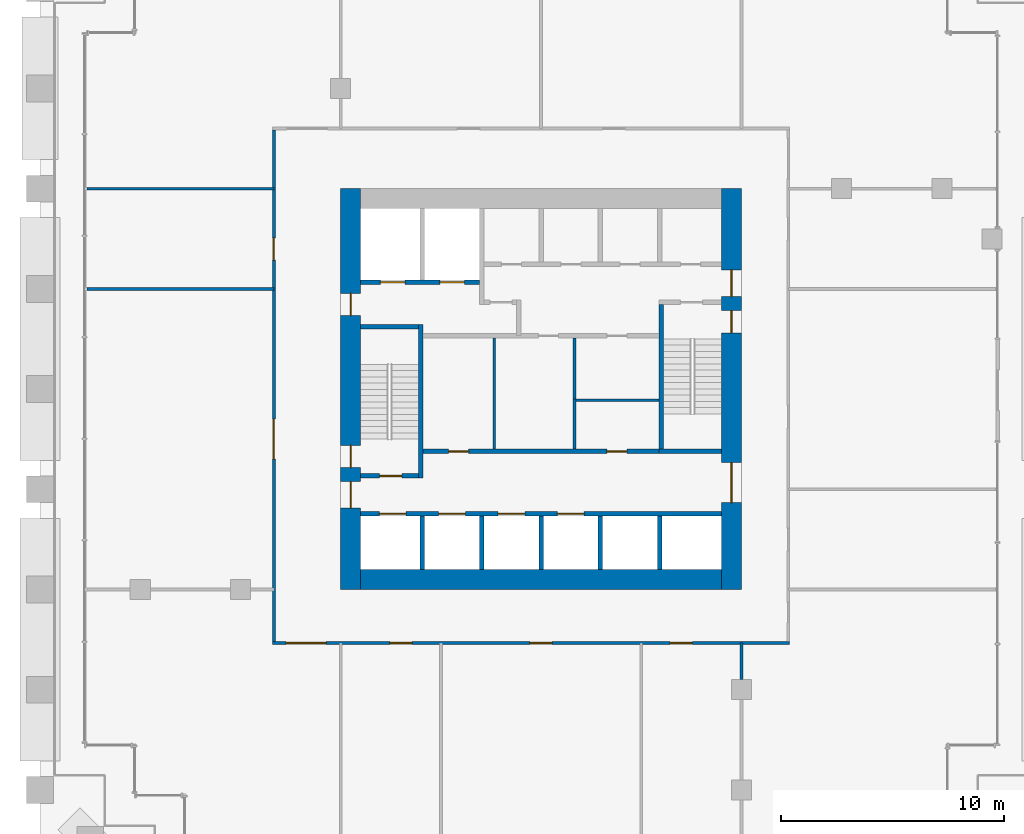
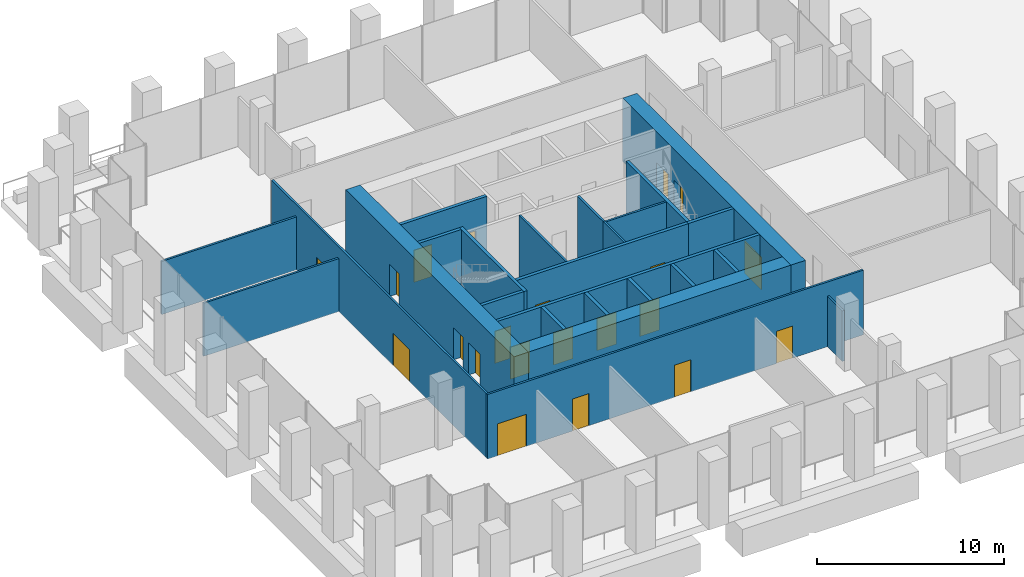
# One storey, part 25 of 32: 25 walls, 21 doors, 21 openings.
"""IFC4 building model written with IfcOpenShell, lengths in metres."""

from ifc_helpers import new_model, si_unit, direction, frame, frame_2d, origin, place, context, subcontext, project, spatial, rectangle, extrude, material, layer, layer_set, type_object, element, fill, save


model = new_model("IFC4")

# Units and contexts
model_context = context("Model", 3, precision=1e-05, world=origin(), true_north=direction((0.0, 1.0)))
body_context = subcontext(model_context, "Body", "Model", "MODEL_VIEW")
ifc_project = project(units=[si_unit("LENGTHUNIT", "METRE"), si_unit("AREAUNIT", "SQUARE_METRE"), si_unit("VOLUMEUNIT", "CUBIC_METRE"), si_unit("PLANEANGLEUNIT", "RADIAN"), si_unit("MASSUNIT", "GRAM", prefix="KILO")], contexts=[model_context])

# Site, building, storey
site_placement = place(None, origin())
site = spatial("IfcSite", under=ifc_project, at=site_placement, CompositionType="ELEMENT")
building_placement = place(site_placement, origin())
building = spatial("IfcBuilding", under=site, at=building_placement, Name="Altepetl Exchange Towers", CompositionType="ELEMENT")
storey_placement = place(building_placement, frame((0.0, 0.0, 21.0)))
storey = spatial("IfcBuildingStorey", under=building, at=storey_placement, Name="L04", CompositionType="ELEMENT", Elevation=21.0)

# Wall, openings, doors
ifc_material_1 = material(Name="Concrete C70/85", Category="concrete")
ifc_layer_1 = layer(ifc_material_1, 0.89990234375)
ifc_layer_set_1 = layer_set([ifc_layer_1], Name="Concrete C70/85")
wall_type_1 = type_object("IfcWallType", Name="Core wall 900 reinforced concrete", PredefinedType="SHEAR", material=ifc_layer_set_1)
wall_1_placement = place(storey_placement, frame((58.050048828125, 40.5, 0.0), z_axis=(0.0, 0.0, 1.0), x_axis=(0.0, 1.0, 0.0)))
wall_1 = element("IfcWall", 1, at=wall_1_placement, inside=storey, type_object=wall_type_1, Name="wall:A:L04:K-coreE", PredefinedType="SHEAR", context=body_context, shape_type="SweptSolid", body=[
    extrude(rectangle(XDim=18.0, YDim=0.89990234375, at=frame_2d((9.0, 0.0))), origin(), (0.0, 0.0, 1.0), 4.125),
])
opening_1_placement = place(wall_1_placement, frame((13.14990234375, 0.0, 0.0)))
opening_1 = element("IfcOpeningElement", 2, at=opening_1_placement, cuts=wall_1, Name="Opening L04.A60", PredefinedType="OPENING", context=body_context, shape_type="SweptSolid", body=[
    extrude(rectangle(XDim=1.199951171875, YDim=2.10009765625, at=frame_2d((0.60009765625, 1.050048828125))), frame((0.0, 0.4599609375, 0.0), z_axis=(0.0, -1.0, 0.0), x_axis=(1.0, 0.0, 0.0)), (0.0, 0.0, 1.0), 0.919921875),
])
opening_2_placement = place(wall_1_placement, frame((3.89990234375, 0.0, 0.0)))
opening_2 = element("IfcOpeningElement", 3, at=opening_2_placement, cuts=wall_1, Name="Opening L04.A61", PredefinedType="OPENING", context=body_context, shape_type="SweptSolid", body=[
    extrude(rectangle(XDim=1.800048828125, YDim=2.10009765625, at=frame_2d((0.89990234375, 1.050048828125))), frame((0.0, 0.4599609375, 0.0), z_axis=(0.0, -1.0, 0.0), x_axis=(1.0, 0.0, 0.0)), (0.0, 0.0, 1.0), 0.919921875),
])
opening_3_placement = place(wall_1_placement, frame((11.52490234375, 0.0, 0.0)))
opening_3 = element("IfcOpeningElement", 4, at=opening_3_placement, cuts=wall_1, Name="Opening L04.A66", PredefinedType="OPENING", context=body_context, shape_type="SweptSolid", body=[
    extrude(rectangle(XDim=1.0, YDim=2.10009765625, at=frame_2d((0.5, 1.050048828125))), frame((0.0, 0.4599609375, 0.0), z_axis=(0.0, -1.0, 0.0), x_axis=(1.0, 0.0, 0.0)), (0.0, 0.0, 1.0), 0.919921875),
])
ifc_material_2 = material(Name="Steel and timber fire door", Category="steel")
door_type_1 = type_object("IfcDoorType", Name="Fire door 1000 x 2100 stair and lobby", OperationType="SINGLE_SWING_LEFT", PredefinedType="DOOR", material=ifc_material_2)
door_1_placement = place(opening_3_placement, origin())
door_1 = element("IfcDoor", 5, at=door_1_placement, inside=storey, type_object=door_type_1, Name="door:A:L04:K-dS2x", OperationType="SINGLE_SWING_RIGHT", OverallHeight=2.10009765625, OverallWidth=1.0, PredefinedType="DOOR", context=body_context, shape_type="SweptSolid", body=[
    extrude(rectangle(XDim=1.0, YDim=2.10009765625, at=frame_2d((0.5, 1.050048828125))), frame((0.0, 0.02490234375, 0.0), z_axis=(0.0, -1.0, 0.0), x_axis=(1.0, 0.0, 0.0)), (0.0, 0.0, 1.0), 0.050048828125),
])
fill(opening_3, door_1)
door_type_2 = type_object("IfcDoorType", Name="Fire door 1200 x 2100 lobby entry", OperationType="SINGLE_SWING_LEFT", PredefinedType="DOOR", material=ifc_material_2)
door_2_placement = place(opening_1_placement, origin())
door_2 = element("IfcDoor", 6, at=door_2_placement, inside=storey, type_object=door_type_2, Name="door:A:L04:K-dLNE", OperationType="SINGLE_SWING_RIGHT", OverallHeight=2.10009765625, OverallWidth=1.199951171875, PredefinedType="DOOR", context=body_context, shape_type="SweptSolid", body=[
    extrude(rectangle(XDim=1.199951171875, YDim=2.10009765625, at=frame_2d((0.60009765625, 1.050048828125))), frame((0.0, 0.02490234375, 0.0), z_axis=(0.0, -1.0, 0.0), x_axis=(1.0, 0.0, 0.0)), (0.0, 0.0, 1.0), 0.050048828125),
])
fill(opening_1, door_2)
door_type_3 = type_object("IfcDoorType", Name="Fire door 1800 x 2100 lobby entry", OperationType="DOUBLE_DOOR_SINGLE_SWING", PredefinedType="DOOR", material=ifc_material_2)
door_3_placement = place(opening_2_placement, origin())
door_3 = element("IfcDoor", 7, at=door_3_placement, inside=storey, type_object=door_type_3, Name="door:A:L04:K-dLSE", OperationType="DOUBLE_DOOR_SINGLE_SWING", OverallHeight=2.10009765625, OverallWidth=1.800048828125, PredefinedType="DOOR", context=body_context, shape_type="SweptSolid", body=[
    extrude(rectangle(XDim=1.800048828125, YDim=2.10009765625, at=frame_2d((0.89990234375, 1.050048828125))), frame((0.0, 0.02490234375, 0.0), z_axis=(0.0, -1.0, 0.0), x_axis=(1.0, 0.0, 0.0)), (0.0, 0.0, 1.0), 0.050048828125),
])
fill(opening_2, door_3)

# Wall
wall_2_placement = place(storey_placement, frame((41.39990234375, 40.949951171875, 0.0)))
element("IfcWall", 8, at=wall_2_placement, inside=storey, type_object=wall_type_1, Name="wall:A:L04:K-coreS", PredefinedType="SHEAR", context=body_context, shape_type="SweptSolid", body=[
    extrude(rectangle(XDim=16.2001953125, YDim=0.89990234375, at=frame_2d((8.10009765625, 0.0))), origin(), (0.0, 0.0, 1.0), 4.125),
])

# Wall, openings, doors
wall_3_placement = place(storey_placement, frame((40.949951171875, 40.5, 0.0), z_axis=(0.0, 0.0, 1.0), x_axis=(0.0, 1.0, 0.0)))
wall_3 = element("IfcWall", 9, at=wall_3_placement, inside=storey, type_object=wall_type_1, Name="wall:A:L04:K-coreW", PredefinedType="SHEAR", context=body_context, shape_type="SweptSolid", body=[
    extrude(rectangle(XDim=18.0, YDim=0.89990234375, at=frame_2d((9.0, 0.0))), origin(), (0.0, 0.0, 1.0), 4.125),
])
opening_4_placement = place(wall_3_placement, frame((3.64990234375, 0.0, 0.0)))
opening_4 = element("IfcOpeningElement", 10, at=opening_4_placement, cuts=wall_3, Name="Opening L04.A62", PredefinedType="OPENING", context=body_context, shape_type="SweptSolid", body=[
    extrude(rectangle(XDim=1.199951171875, YDim=2.10009765625, at=frame_2d((0.60009765625, 1.050048828125))), frame((0.0, 0.4599609375, 0.0), z_axis=(0.0, -1.0, 0.0), x_axis=(1.0, 0.0, 0.0)), (0.0, 0.0, 1.0), 0.919921875),
])
opening_5_placement = place(wall_3_placement, frame((5.47509765625, 0.0, 0.0)))
opening_5 = element("IfcOpeningElement", 11, at=opening_5_placement, cuts=wall_3, Name="Opening L04.A64", PredefinedType="OPENING", context=body_context, shape_type="SweptSolid", body=[
    extrude(rectangle(XDim=1.0, YDim=2.10009765625, at=frame_2d((0.5, 1.050048828125))), frame((0.0, 0.4599609375, 0.0), z_axis=(0.0, -1.0, 0.0), x_axis=(1.0, 0.0, 0.0)), (0.0, 0.0, 1.0), 0.919921875),
])
opening_6_placement = place(wall_3_placement, frame((12.300048828125, 0.0, 0.0)))
opening_6 = element("IfcOpeningElement", 12, at=opening_6_placement, cuts=wall_3, Name="Opening L04.A68", PredefinedType="OPENING", context=body_context, shape_type="SweptSolid", body=[
    extrude(rectangle(XDim=1.0, YDim=2.10009765625, at=frame_2d((0.5, 1.050048828125))), frame((0.0, 0.4599609375, 0.0), z_axis=(0.0, -1.0, 0.0), x_axis=(1.0, 0.0, 0.0)), (0.0, 0.0, 1.0), 0.919921875),
])
door_4_placement = place(opening_5_placement, frame((1.0, 0.0, 0.0), x_axis=(-1.0, 0.0, 0.0)))
door_4 = element("IfcDoor", 13, at=door_4_placement, inside=storey, type_object=door_type_1, Name="door:A:L04:K-dS1x", OperationType="SINGLE_SWING_RIGHT", OverallHeight=2.10009765625, OverallWidth=1.0, PredefinedType="DOOR", context=body_context, shape_type="SweptSolid", body=[
    extrude(rectangle(XDim=1.0, YDim=2.10009765625, at=frame_2d((0.5, 1.050048828125))), frame((0.0, 0.02490234375, 0.0), z_axis=(0.0, -1.0, 0.0), x_axis=(1.0, 0.0, 0.0)), (0.0, 0.0, 1.0), 0.050048828125),
])
fill(opening_5, door_4)
door_5_placement = place(opening_6_placement, frame((1.0, 0.0, 0.0), x_axis=(-1.0, 0.0, 0.0)))
door_5 = element("IfcDoor", 14, at=door_5_placement, inside=storey, type_object=door_type_1, Name="door:A:L04:K-dffW", OperationType="SINGLE_SWING_LEFT", OverallHeight=2.10009765625, OverallWidth=1.0, PredefinedType="DOOR", context=body_context, shape_type="SweptSolid", body=[
    extrude(rectangle(XDim=1.0, YDim=2.10009765625, at=frame_2d((0.5, 1.050048828125))), frame((0.0, 0.02490234375, 0.0), z_axis=(0.0, -1.0, 0.0), x_axis=(1.0, 0.0, 0.0)), (0.0, 0.0, 1.0), 0.050048828125),
])
fill(opening_6, door_5)
door_6_placement = place(opening_4_placement, frame((1.199951171875, 0.0, 0.0), x_axis=(-1.0, 0.0, 0.0)))
door_6 = element("IfcDoor", 15, at=door_6_placement, inside=storey, type_object=door_type_2, Name="door:A:L04:K-dLSW", OperationType="SINGLE_SWING_LEFT", OverallHeight=2.10009765625, OverallWidth=1.199951171875, PredefinedType="DOOR", context=body_context, shape_type="SweptSolid", body=[
    extrude(rectangle(XDim=1.199951171875, YDim=2.10009765625, at=frame_2d((0.60009765625, 1.050048828125))), frame((0.0, 0.02490234375, 0.0), z_axis=(0.0, -1.0, 0.0), x_axis=(1.0, 0.0, 0.0)), (0.0, 0.0, 1.0), 0.050048828125),
])
fill(opening_4, door_6)

ifc_material_3 = material(Name="Concrete blockwork", Category="masonry")
ifc_layer_2 = layer(ifc_material_3, 0.199951171875)
ifc_layer_set_2 = layer_set([ifc_layer_2], Name="Concrete blockwork")
wall_type_2 = type_object("IfcWallType", Name="Lobby wall 200 blockwork", PredefinedType="PARTITIONING", material=ifc_layer_set_2)
wall_4_placement = place(storey_placement, frame((44.199951171875, 46.699951171875, 0.0)))
wall_4 = element("IfcWall", 16, at=wall_4_placement, inside=storey, type_object=wall_type_2, Name="wall:A:L04:K-zoneS", PredefinedType="PARTITIONING", context=body_context, shape_type="SweptSolid", body=[
    extrude(rectangle(XDim=10.60009765625, YDim=0.199951171875, at=frame_2d((5.300048828125, 0.0))), origin(), (0.0, 0.0, 1.0), 4.125),
])
opening_7_placement = place(wall_4_placement, frame((1.14990234375, 0.0, 0.0)))
opening_7 = element("IfcOpeningElement", 17, at=opening_7_placement, cuts=wall_4, Name="Opening L04.A73", PredefinedType="OPENING", context=body_context, shape_type="SweptSolid", body=[
    extrude(rectangle(XDim=0.89990234375, YDim=2.10009765625, at=frame_2d((0.449951171875, 1.050048828125))), frame((0.0, 0.10986328125, 0.0), z_axis=(0.0, -1.0, 0.0), x_axis=(1.0, 0.0, 0.0)), (0.0, 0.0, 1.0), 0.219970703125),
])
opening_8_placement = place(wall_4_placement, frame((8.25, 0.0, 0.0)))
opening_8 = element("IfcOpeningElement", 18, at=opening_8_placement, cuts=wall_4, Name="Opening L04.A75", PredefinedType="OPENING", context=body_context, shape_type="SweptSolid", body=[
    extrude(rectangle(XDim=0.89990234375, YDim=2.10009765625, at=frame_2d((0.449951171875, 1.050048828125))), frame((0.0, 0.10986328125, 0.0), z_axis=(0.0, -1.0, 0.0), x_axis=(1.0, 0.0, 0.0)), (0.0, 0.0, 1.0), 0.219970703125),
])
door_type_4 = type_object("IfcDoorType", Name="Fire door 900 x 2100 service room", OperationType="SINGLE_SWING_LEFT", PredefinedType="DOOR", material=ifc_material_2)
door_7_placement = place(opening_7_placement, origin())
door_7 = element("IfcDoor", 19, at=door_7_placement, inside=storey, type_object=door_type_4, Name="door:A:L04:K-dz1", OperationType="SINGLE_SWING_RIGHT", OverallHeight=2.10009765625, OverallWidth=0.89990234375, PredefinedType="DOOR", context=body_context, shape_type="SweptSolid", body=[
    extrude(rectangle(XDim=0.89990234375, YDim=2.10009765625, at=frame_2d((0.449951171875, 1.050048828125))), frame((0.0, 0.02490234375, 0.0), z_axis=(0.0, -1.0, 0.0), x_axis=(1.0, 0.0, 0.0)), (0.0, 0.0, 1.0), 0.050048828125),
])
fill(opening_7, door_7)
door_8_placement = place(opening_8_placement, origin())
door_8 = element("IfcDoor", 20, at=door_8_placement, inside=storey, type_object=door_type_4, Name="door:A:L04:K-dz3", OperationType="SINGLE_SWING_RIGHT", OverallHeight=2.10009765625, OverallWidth=0.89990234375, PredefinedType="DOOR", context=body_context, shape_type="SweptSolid", body=[
    extrude(rectangle(XDim=0.89990234375, YDim=2.10009765625, at=frame_2d((0.449951171875, 1.050048828125))), frame((0.0, 0.02490234375, 0.0), z_axis=(0.0, -1.0, 0.0), x_axis=(1.0, 0.0, 0.0)), (0.0, 0.0, 1.0), 0.050048828125),
])
fill(opening_8, door_8)

# Walls
ifc_material_4 = material(Name="Gypsum board on steel studs", Category="steel")
ifc_layer_3 = layer(ifc_material_4, 0.125)
ifc_layer_set_3 = layer_set([ifc_layer_3], Name="Gypsum board on steel studs")
wall_type_3 = type_object("IfcWallType", Name="Partition 125 gypsum board on steel studs", PredefinedType="PARTITIONING", material=ifc_layer_set_3)
wall_5_placement = place(storey_placement, frame((47.39990234375, 46.800048828125, 0.0), z_axis=(0.0, 0.0, 1.0), x_axis=(0.0, 1.0, 0.0)))
element("IfcWall", 21, at=wall_5_placement, inside=storey, type_object=wall_type_3, Name="wall:A:L04:K-zp1", PredefinedType="PARTITIONING", context=body_context, shape_type="SweptSolid", body=[
    extrude(rectangle(XDim=5.0, YDim=0.125, at=frame_2d((2.5, 0.0))), origin(), (0.0, 0.0, 1.0), 4.125),
])
wall_6_placement = place(storey_placement, frame((51.0, 46.800048828125, 0.0), z_axis=(0.0, 0.0, 1.0), x_axis=(0.0, 1.0, 0.0)))
element("IfcWall", 22, at=wall_6_placement, inside=storey, type_object=wall_type_3, Name="wall:A:L04:K-zp2", PredefinedType="PARTITIONING", context=body_context, shape_type="SweptSolid", body=[
    extrude(rectangle(XDim=2.262451171875, YDim=0.125, at=frame_2d((1.13134765625, 0.0))), origin(), (0.0, 0.0, 1.0), 4.125),
])
wall_7_placement = place(storey_placement, frame((54.800048828125, 49.0, 0.0), z_axis=(0.0, 0.0, 1.0), x_axis=(-1.0, 0.0, 0.0)))
element("IfcWall", 23, at=wall_7_placement, inside=storey, type_object=wall_type_3, Name="wall:A:L04:K-zp3", PredefinedType="PARTITIONING", context=body_context, shape_type="SweptSolid", body=[
    extrude(rectangle(XDim=3.737548828125, YDim=0.125, at=frame_2d((1.86865234375, 0.0))), origin(), (0.0, 0.0, 1.0), 4.125),
])
wall_8_placement = place(storey_placement, frame((51.0, 49.0, 0.0), z_axis=(0.0, 0.0, 1.0), x_axis=(0.0, 1.0, 0.0)))
element("IfcWall", 24, at=wall_8_placement, inside=storey, type_object=wall_type_3, Name="wall:A:L04:K-zp4", PredefinedType="PARTITIONING", context=body_context, shape_type="SweptSolid", body=[
    extrude(rectangle(XDim=2.800048828125, YDim=0.125, at=frame_2d((1.39990234375, 0.0))), origin(), (0.0, 0.0, 1.0), 4.125),
])

# Wall, openings, doors
wall_9_placement = place(storey_placement, frame((37.4375, 38.10009765625, 0.0)))
wall_9 = element("IfcWall", 25, at=wall_9_placement, inside=storey, type_object=wall_type_3, Name="wall:A:L04:P01", PredefinedType="PARTITIONING", context=body_context, shape_type="SweptSolid", body=[
    extrude(rectangle(XDim=23.22509765625, YDim=0.125, at=frame_2d((11.612548828125, 0.0))), origin(), (0.0, 0.0, 1.0), 4.22509765625),
])
opening_9_placement = place(wall_9_placement, frame((0.609619140625, 0.0, 0.0)))
opening_9 = element("IfcOpeningElement", 26, at=opening_9_placement, cuts=wall_9, Name="Opening L04.A02", PredefinedType="OPENING", context=body_context, shape_type="SweptSolid", body=[
    extrude(rectangle(XDim=1.800048828125, YDim=2.10009765625, at=frame_2d((0.89990234375, 1.050048828125))), frame((0.0, 0.072509765625, 0.0), z_axis=(0.0, -1.0, 0.0), x_axis=(1.0, 0.0, 0.0)), (0.0, 0.0, 1.0), 0.14501953125),
])
opening_10_placement = place(wall_9_placement, frame((5.267578125, 0.0, 0.0)))
opening_10 = element("IfcOpeningElement", 27, at=opening_10_placement, cuts=wall_9, Name="Opening L04.A03", PredefinedType="OPENING", context=body_context, shape_type="SweptSolid", body=[
    extrude(rectangle(XDim=1.0, YDim=2.10009765625, at=frame_2d((0.5, 1.050048828125))), frame((0.0, 0.072509765625, 0.0), z_axis=(0.0, -1.0, 0.0), x_axis=(1.0, 0.0, 0.0)), (0.0, 0.0, 1.0), 0.14501953125),
])
opening_11_placement = place(wall_9_placement, frame((11.5625, 0.0, 0.0)))
opening_11 = element("IfcOpeningElement", 28, at=opening_11_placement, cuts=wall_9, Name="Opening L04.A04", PredefinedType="OPENING", context=body_context, shape_type="SweptSolid", body=[
    extrude(rectangle(XDim=1.0, YDim=2.10009765625, at=frame_2d((0.5, 1.050048828125))), frame((0.0, 0.072509765625, 0.0), z_axis=(0.0, -1.0, 0.0), x_axis=(1.0, 0.0, 0.0)), (0.0, 0.0, 1.0), 0.14501953125),
])
opening_12_placement = place(wall_9_placement, frame((17.857421875, 0.0, 0.0)))
opening_12 = element("IfcOpeningElement", 29, at=opening_12_placement, cuts=wall_9, Name="Opening L04.A05", PredefinedType="OPENING", context=body_context, shape_type="SweptSolid", body=[
    extrude(rectangle(XDim=1.0, YDim=2.10009765625, at=frame_2d((0.5, 1.050048828125))), frame((0.0, 0.072509765625, 0.0), z_axis=(0.0, -1.0, 0.0), x_axis=(1.0, 0.0, 0.0)), (0.0, 0.0, 1.0), 0.14501953125),
])
door_type_5 = type_object("IfcDoorType", Name="Fire door 1000 x 2100 single leaf", OperationType="SINGLE_SWING_LEFT", PredefinedType="DOOR", material=ifc_material_2)
door_9_placement = place(opening_10_placement, frame((1.0, 0.0, 0.0), x_axis=(-1.0, 0.0, 0.0)))
door_9 = element("IfcDoor", 30, at=door_9_placement, inside=storey, type_object=door_type_5, Name="door:A:L04:03", OperationType="SINGLE_SWING_LEFT", OverallHeight=2.10009765625, OverallWidth=1.0, PredefinedType="DOOR", context=body_context, shape_type="SweptSolid", body=[
    extrude(rectangle(XDim=1.0, YDim=2.10009765625, at=frame_2d((0.5, 1.050048828125))), frame((0.0, 0.02490234375, 0.0), z_axis=(0.0, -1.0, 0.0), x_axis=(1.0, 0.0, 0.0)), (0.0, 0.0, 1.0), 0.050048828125),
])
fill(opening_10, door_9)
door_10_placement = place(opening_11_placement, frame((1.0, 0.0, 0.0), x_axis=(-1.0, 0.0, 0.0)))
door_10 = element("IfcDoor", 31, at=door_10_placement, inside=storey, type_object=door_type_5, Name="door:A:L04:04", OperationType="SINGLE_SWING_LEFT", OverallHeight=2.10009765625, OverallWidth=1.0, PredefinedType="DOOR", context=body_context, shape_type="SweptSolid", body=[
    extrude(rectangle(XDim=1.0, YDim=2.10009765625, at=frame_2d((0.5, 1.050048828125))), frame((0.0, 0.02490234375, 0.0), z_axis=(0.0, -1.0, 0.0), x_axis=(1.0, 0.0, 0.0)), (0.0, 0.0, 1.0), 0.050048828125),
])
fill(opening_11, door_10)
door_11_placement = place(opening_12_placement, frame((1.0, 0.0, 0.0), x_axis=(-1.0, 0.0, 0.0)))
door_11 = element("IfcDoor", 32, at=door_11_placement, inside=storey, type_object=door_type_5, Name="door:A:L04:05", OperationType="SINGLE_SWING_LEFT", OverallHeight=2.10009765625, OverallWidth=1.0, PredefinedType="DOOR", context=body_context, shape_type="SweptSolid", body=[
    extrude(rectangle(XDim=1.0, YDim=2.10009765625, at=frame_2d((0.5, 1.050048828125))), frame((0.0, 0.02490234375, 0.0), z_axis=(0.0, -1.0, 0.0), x_axis=(1.0, 0.0, 0.0)), (0.0, 0.0, 1.0), 0.050048828125),
])
fill(opening_12, door_11)
door_type_6 = type_object("IfcDoorType", Name="Fire door 1800 x 2100 double leaf", OperationType="DOUBLE_DOOR_SINGLE_SWING", PredefinedType="DOOR", material=ifc_material_2)
door_12_placement = place(opening_9_placement, frame((1.800048828125, 0.0, 0.0), x_axis=(-1.0, 0.0, 0.0)))
door_12 = element("IfcDoor", 33, at=door_12_placement, inside=storey, type_object=door_type_6, Name="door:A:L04:02", OperationType="DOUBLE_DOOR_SINGLE_SWING", OverallHeight=2.10009765625, OverallWidth=1.800048828125, PredefinedType="DOOR", context=body_context, shape_type="SweptSolid", body=[
    extrude(rectangle(XDim=1.800048828125, YDim=2.10009765625, at=frame_2d((0.89990234375, 1.050048828125))), frame((0.0, 0.02490234375, 0.0), z_axis=(0.0, -1.0, 0.0), x_axis=(1.0, 0.0, 0.0)), (0.0, 0.0, 1.0), 0.050048828125),
])
fill(opening_9, door_12)

# Walls
for number, where, name in (
    (34, (29.10009765625, 54.0, 0.0), "wall:A:L04:P07"),
    (35, (29.10009765625, 58.5, 0.0), "wall:A:L04:P09"),
):
    element("IfcWall", number, at=place(storey_placement, frame(where)), inside=storey, type_object=wall_type_3, Name=name, PredefinedType="PARTITIONING", context=body_context, shape_type="SweptSolid", body=[
        extrude(rectangle(XDim=8.39990234375, YDim=0.125, at=frame_2d((4.199951171875, 0.0))), origin(), (0.0, 0.0, 1.0), 3.467041015625),
    ])

# Wall, openings, doors
wall_10_placement = place(storey_placement, frame((37.5, 38.16259765625, 0.0), z_axis=(0.0, 0.0, 1.0), x_axis=(0.0, 1.0, 0.0)))
wall_10 = element("IfcWall", 36, at=wall_10_placement, inside=storey, type_object=wall_type_3, Name="wall:A:L04:P14", PredefinedType="PARTITIONING", context=body_context, shape_type="SweptSolid", body=[
    extrude(rectangle(XDim=22.974853515625, YDim=0.125, at=frame_2d((11.4873046875, 0.0))), origin(), (0.0, 0.0, 1.0), 4.22509765625),
])
opening_13_placement = place(wall_10_placement, frame((8.1875, 0.0, 0.0)))
opening_13 = element("IfcOpeningElement", 37, at=opening_13_placement, cuts=wall_10, Name="Opening L04.A01", PredefinedType="OPENING", context=body_context, shape_type="SweptSolid", body=[
    extrude(rectangle(XDim=1.800048828125, YDim=2.10009765625, at=frame_2d((0.89990234375, 1.050048828125))), frame((0.0, 0.072509765625, 0.0), z_axis=(0.0, -1.0, 0.0), x_axis=(1.0, 0.0, 0.0)), (0.0, 0.0, 1.0), 0.14501953125),
])
opening_14_placement = place(wall_10_placement, frame((17.132568359375, 0.0, 0.0)))
opening_14 = element("IfcOpeningElement", 38, at=opening_14_placement, cuts=wall_10, Name="Opening L04.A14", PredefinedType="OPENING", context=body_context, shape_type="SweptSolid", body=[
    extrude(rectangle(XDim=1.0, YDim=2.10009765625, at=frame_2d((0.5, 1.050048828125))), frame((0.0, 0.072509765625, 0.0), z_axis=(0.0, -1.0, 0.0), x_axis=(1.0, 0.0, 0.0)), (0.0, 0.0, 1.0), 0.14501953125),
])
door_13_placement = place(opening_14_placement, origin())
door_13 = element("IfcDoor", 39, at=door_13_placement, inside=storey, type_object=door_type_5, Name="door:A:L04:14", OperationType="SINGLE_SWING_LEFT", OverallHeight=2.10009765625, OverallWidth=1.0, PredefinedType="DOOR", context=body_context, shape_type="SweptSolid", body=[
    extrude(rectangle(XDim=1.0, YDim=2.10009765625, at=frame_2d((0.5, 1.050048828125))), frame((0.0, 0.02490234375, 0.0), z_axis=(0.0, -1.0, 0.0), x_axis=(1.0, 0.0, 0.0)), (0.0, 0.0, 1.0), 0.050048828125),
])
fill(opening_14, door_13)
door_14_placement = place(opening_13_placement, origin())
door_14 = element("IfcDoor", 40, at=door_14_placement, inside=storey, type_object=door_type_6, Name="door:A:L04:01", OperationType="DOUBLE_DOOR_SINGLE_SWING", OverallHeight=2.10009765625, OverallWidth=1.800048828125, PredefinedType="DOOR", context=body_context, shape_type="SweptSolid", body=[
    extrude(rectangle(XDim=1.800048828125, YDim=2.10009765625, at=frame_2d((0.89990234375, 1.050048828125))), frame((0.0, 0.02490234375, 0.0), z_axis=(0.0, -1.0, 0.0), x_axis=(1.0, 0.0, 0.0)), (0.0, 0.0, 1.0), 0.050048828125),
])
fill(opening_13, door_14)

# Walls
wall_11_placement = place(storey_placement, frame((58.5, 36.449951171875, 0.0), z_axis=(0.0, 0.0, 1.0), x_axis=(0.0, 1.0, 0.0)))
element("IfcWall", 41, at=wall_11_placement, inside=storey, type_object=wall_type_3, Name="wall:A:L04:P24", PredefinedType="PARTITIONING", context=body_context, shape_type="SweptSolid", body=[
    extrude(rectangle(XDim=1.650146484375, YDim=0.125, at=frame_2d((0.8251953125, 0.0))), origin(), (0.0, 0.0, 1.0), 3.302001953125),
])
ifc_material_5 = material(Name="Concrete C40/50", Category="concrete")
ifc_layer_4 = layer(ifc_material_5, 0.199951171875)
ifc_layer_set_4 = layer_set([ifc_layer_4], Name="Concrete C40/50")
wall_type_4 = type_object("IfcWallType", Name="Shaft wall 200 reinforced concrete", PredefinedType="SHEAR", material=ifc_layer_set_4)
for number, where, z_axis, x_axis, name in (
    (42, (44.166748046875, 41.39990234375, 0.0), (0.0, 0.0, 1.0), (0.0, 1.0, 0.0), "wall:A:L04:K-divS1"),
    (43, (46.833251953125, 41.39990234375, 0.0), (0.0, 0.0, 1.0), (0.0, 1.0, 0.0), "wall:A:L04:K-divS2"),
    (44, (49.5, 41.39990234375, 0.0), (0.0, 0.0, 1.0), (0.0, 1.0, 0.0), "wall:A:L04:K-divS3"),
    (45, (52.166748046875, 41.39990234375, 0.0), (0.0, 0.0, 1.0), (0.0, 1.0, 0.0), "wall:A:L04:K-divS4"),
    (46, (54.833251953125, 41.39990234375, 0.0), (0.0, 0.0, 1.0), (0.0, 1.0, 0.0), "wall:A:L04:K-divS5"),
):
    element("IfcWall", number, at=place(storey_placement, frame(where, z_axis=z_axis, x_axis=x_axis)), inside=storey, type_object=wall_type_4, Name=name, PredefinedType="SHEAR", context=body_context, shape_type="SweptSolid", body=[
        extrude(rectangle(XDim=2.400146484375, YDim=0.199951171875, at=frame_2d((1.2001953125, 0.0))), origin(), (0.0, 0.0, 1.0), 4.125),
    ])

# Wall, openings, doors
wall_12_placement = place(storey_placement, frame((41.39990234375, 54.300048828125, 0.0)))
wall_12 = element("IfcWall", 47, at=wall_12_placement, inside=storey, type_object=wall_type_4, Name="wall:A:L04:K-frontNd", PredefinedType="SHEAR", context=body_context, shape_type="SweptSolid", body=[
    extrude(rectangle(XDim=5.33349609375, YDim=0.199951171875, at=frame_2d((2.666748046875, 0.0))), origin(), (0.0, 0.0, 1.0), 4.125),
])
opening_15_placement = place(wall_12_placement, frame((0.88330078125, 0.0, 0.0)))
opening_15 = element("IfcOpeningElement", 48, at=opening_15_placement, cuts=wall_12, Name="Opening L04.A77", PredefinedType="OPENING", context=body_context, shape_type="SweptSolid", body=[
    extrude(rectangle(XDim=1.10009765625, YDim=2.10009765625, at=frame_2d((0.550048828125, 1.050048828125))), frame((0.0, 0.10986328125, 0.0), z_axis=(0.0, -1.0, 0.0), x_axis=(1.0, 0.0, 0.0)), (0.0, 0.0, 1.0), 0.219970703125),
])
opening_16_placement = place(wall_12_placement, frame((3.550048828125, 0.0, 0.0)))
opening_16 = element("IfcOpeningElement", 49, at=opening_16_placement, cuts=wall_12, Name="Opening L04.A78", PredefinedType="OPENING", context=body_context, shape_type="SweptSolid", body=[
    extrude(rectangle(XDim=1.10009765625, YDim=2.10009765625, at=frame_2d((0.550048828125, 1.050048828125))), frame((0.0, 0.10986328125, 0.0), z_axis=(0.0, -1.0, 0.0), x_axis=(1.0, 0.0, 0.0)), (0.0, 0.0, 1.0), 0.219970703125),
])
ifc_material_6 = material(Name="Stainless steel", Category="steel")
door_type_7 = type_object("IfcDoorType", Name="Lift landing door 1100 x 2100", OperationType="SLIDING_TO_LEFT", PredefinedType="DOOR", material=ifc_material_6)
door_15_placement = place(opening_15_placement, origin())
door_15 = element("IfcDoor", 50, at=door_15_placement, inside=storey, type_object=door_type_7, Name="Landing door FFL1", OperationType="SLIDING_TO_LEFT", OverallHeight=2.10009765625, OverallWidth=1.10009765625, PredefinedType="DOOR", context=body_context, shape_type="SweptSolid", body=[
    extrude(rectangle(XDim=1.10009765625, YDim=2.10009765625, at=frame_2d((0.550048828125, 1.050048828125))), frame((0.0, 0.02490234375, 0.0), z_axis=(0.0, -1.0, 0.0), x_axis=(1.0, 0.0, 0.0)), (0.0, 0.0, 1.0), 0.050048828125),
])
fill(opening_15, door_15)
door_16_placement = place(opening_16_placement, origin())
door_16 = element("IfcDoor", 51, at=door_16_placement, inside=storey, type_object=door_type_7, Name="Landing door FFL2", OperationType="SLIDING_TO_LEFT", OverallHeight=2.10009765625, OverallWidth=1.10009765625, PredefinedType="DOOR", context=body_context, shape_type="SweptSolid", body=[
    extrude(rectangle(XDim=1.10009765625, YDim=2.10009765625, at=frame_2d((0.550048828125, 1.050048828125))), frame((0.0, 0.02490234375, 0.0), z_axis=(0.0, -1.0, 0.0), x_axis=(1.0, 0.0, 0.0)), (0.0, 0.0, 1.0), 0.050048828125),
])
fill(opening_16, door_16)

wall_13_placement = place(storey_placement, frame((41.39990234375, 43.89990234375, 0.0)))
wall_13 = element("IfcWall", 52, at=wall_13_placement, inside=storey, type_object=wall_type_4, Name="wall:A:L04:K-frontS", PredefinedType="SHEAR", context=body_context, shape_type="SweptSolid", body=[
    extrude(rectangle(XDim=16.2001953125, YDim=0.199951171875, at=frame_2d((8.10009765625, 0.0))), origin(), (0.0, 0.0, 1.0), 4.125),
])
opening_17_placement = place(wall_13_placement, frame((0.833251953125, 0.0, 0.0)))
opening_17 = element("IfcOpeningElement", 53, at=opening_17_placement, cuts=wall_13, Name="Opening L04.A79", PredefinedType="OPENING", context=body_context, shape_type="SweptSolid", body=[
    extrude(rectangle(XDim=1.199951171875, YDim=2.10009765625, at=frame_2d((0.60009765625, 1.050048828125))), frame((0.0, 0.10986328125, 0.0), z_axis=(0.0, -1.0, 0.0), x_axis=(1.0, 0.0, 0.0)), (0.0, 0.0, 1.0), 0.219970703125),
])
opening_18_placement = place(wall_13_placement, frame((3.5, 0.0, 0.0)))
opening_18 = element("IfcOpeningElement", 54, at=opening_18_placement, cuts=wall_13, Name="Opening L04.A80", PredefinedType="OPENING", context=body_context, shape_type="SweptSolid", body=[
    extrude(rectangle(XDim=1.199951171875, YDim=2.10009765625, at=frame_2d((0.60009765625, 1.050048828125))), frame((0.0, 0.10986328125, 0.0), z_axis=(0.0, -1.0, 0.0), x_axis=(1.0, 0.0, 0.0)), (0.0, 0.0, 1.0), 0.219970703125),
])
opening_19_placement = place(wall_13_placement, frame((6.166748046875, 0.0, 0.0)))
opening_19 = element("IfcOpeningElement", 55, at=opening_19_placement, cuts=wall_13, Name="Opening L04.A81", PredefinedType="OPENING", context=body_context, shape_type="SweptSolid", body=[
    extrude(rectangle(XDim=1.199951171875, YDim=2.10009765625, at=frame_2d((0.60009765625, 1.050048828125))), frame((0.0, 0.10986328125, 0.0), z_axis=(0.0, -1.0, 0.0), x_axis=(1.0, 0.0, 0.0)), (0.0, 0.0, 1.0), 0.219970703125),
])
opening_20_placement = place(wall_13_placement, frame((8.833251953125, 0.0, 0.0)))
opening_20 = element("IfcOpeningElement", 56, at=opening_20_placement, cuts=wall_13, Name="Opening L04.A82", PredefinedType="OPENING", context=body_context, shape_type="SweptSolid", body=[
    extrude(rectangle(XDim=1.199951171875, YDim=2.10009765625, at=frame_2d((0.60009765625, 1.050048828125))), frame((0.0, 0.10986328125, 0.0), z_axis=(0.0, -1.0, 0.0), x_axis=(1.0, 0.0, 0.0)), (0.0, 0.0, 1.0), 0.219970703125),
])
door_type_8 = type_object("IfcDoorType", Name="Lift landing door 1200 x 2100", OperationType="SLIDING_TO_LEFT", PredefinedType="DOOR", material=ifc_material_6)
door_17_placement = place(opening_17_placement, origin())
door_17 = element("IfcDoor", 57, at=door_17_placement, inside=storey, type_object=door_type_8, Name="Landing door P1", OperationType="SLIDING_TO_LEFT", OverallHeight=2.10009765625, OverallWidth=1.199951171875, PredefinedType="DOOR", context=body_context, shape_type="SweptSolid", body=[
    extrude(rectangle(XDim=1.199951171875, YDim=2.10009765625, at=frame_2d((0.60009765625, 1.050048828125))), frame((0.0, 0.02490234375, 0.0), z_axis=(0.0, -1.0, 0.0), x_axis=(1.0, 0.0, 0.0)), (0.0, 0.0, 1.0), 0.050048828125),
])
fill(opening_17, door_17)
door_18_placement = place(opening_18_placement, origin())
door_18 = element("IfcDoor", 58, at=door_18_placement, inside=storey, type_object=door_type_8, Name="Landing door P2", OperationType="SLIDING_TO_LEFT", OverallHeight=2.10009765625, OverallWidth=1.199951171875, PredefinedType="DOOR", context=body_context, shape_type="SweptSolid", body=[
    extrude(rectangle(XDim=1.199951171875, YDim=2.10009765625, at=frame_2d((0.60009765625, 1.050048828125))), frame((0.0, 0.02490234375, 0.0), z_axis=(0.0, -1.0, 0.0), x_axis=(1.0, 0.0, 0.0)), (0.0, 0.0, 1.0), 0.050048828125),
])
fill(opening_18, door_18)
door_19_placement = place(opening_19_placement, origin())
door_19 = element("IfcDoor", 59, at=door_19_placement, inside=storey, type_object=door_type_8, Name="Landing door P3", OperationType="SLIDING_TO_LEFT", OverallHeight=2.10009765625, OverallWidth=1.199951171875, PredefinedType="DOOR", context=body_context, shape_type="SweptSolid", body=[
    extrude(rectangle(XDim=1.199951171875, YDim=2.10009765625, at=frame_2d((0.60009765625, 1.050048828125))), frame((0.0, 0.02490234375, 0.0), z_axis=(0.0, -1.0, 0.0), x_axis=(1.0, 0.0, 0.0)), (0.0, 0.0, 1.0), 0.050048828125),
])
fill(opening_19, door_19)
door_20_placement = place(opening_20_placement, origin())
door_20 = element("IfcDoor", 60, at=door_20_placement, inside=storey, type_object=door_type_8, Name="Landing door P4", OperationType="SLIDING_TO_LEFT", OverallHeight=2.10009765625, OverallWidth=1.199951171875, PredefinedType="DOOR", context=body_context, shape_type="SweptSolid", body=[
    extrude(rectangle(XDim=1.199951171875, YDim=2.10009765625, at=frame_2d((0.60009765625, 1.050048828125))), frame((0.0, 0.02490234375, 0.0), z_axis=(0.0, -1.0, 0.0), x_axis=(1.0, 0.0, 0.0)), (0.0, 0.0, 1.0), 0.050048828125),
])
fill(opening_20, door_20)

# Walls
ifc_layer_5 = layer(ifc_material_5, 0.199951171875)
ifc_layer_set_5 = layer_set([ifc_layer_5], Name="Concrete C40/50")
wall_type_5 = type_object("IfcWallType", Name="Stair wall 200 reinforced concrete", PredefinedType="SHEAR", material=ifc_layer_set_5)
wall_14_placement = place(storey_placement, frame((44.10009765625, 45.5, 0.0), z_axis=(0.0, 0.0, 1.0), x_axis=(0.0, 1.0, 0.0)))
element("IfcWall", 61, at=wall_14_placement, inside=storey, type_object=wall_type_5, Name="wall:A:L04:K-stS1E", PredefinedType="SHEAR", context=body_context, shape_type="SweptSolid", body=[
    extrude(rectangle(XDim=6.89990234375, YDim=0.199951171875, at=frame_2d((3.449951171875, 0.0))), origin(), (0.0, 0.0, 1.0), 4.125),
])
wall_15_placement = place(storey_placement, frame((41.39990234375, 52.300048828125, 0.0)))
element("IfcWall", 62, at=wall_15_placement, inside=storey, type_object=wall_type_5, Name="wall:A:L04:K-stS1N", PredefinedType="SHEAR", context=body_context, shape_type="SweptSolid", body=[
    extrude(rectangle(XDim=2.60009765625, YDim=0.199951171875, at=frame_2d((1.300048828125, 0.0))), origin(), (0.0, 0.0, 1.0), 4.125),
])

# Wall, opening, door
wall_16_placement = place(storey_placement, frame((41.39990234375, 45.60009765625, 0.0)))
wall_16 = element("IfcWall", 63, at=wall_16_placement, inside=storey, type_object=wall_type_5, Name="wall:A:L04:K-stS1S", PredefinedType="SHEAR", context=body_context, shape_type="SweptSolid", body=[
    extrude(rectangle(XDim=2.60009765625, YDim=0.199951171875, at=frame_2d((1.300048828125, 0.0))), origin(), (0.0, 0.0, 1.0), 4.125),
])
opening_21_placement = place(wall_16_placement, frame((0.85009765625, 0.0, 0.0)))
opening_21 = element("IfcOpeningElement", 64, at=opening_21_placement, cuts=wall_16, Name="Opening L04.A63", PredefinedType="OPENING", context=body_context, shape_type="SweptSolid", body=[
    extrude(rectangle(XDim=1.0, YDim=2.10009765625, at=frame_2d((0.5, 1.050048828125))), frame((0.0, 0.10986328125, 0.0), z_axis=(0.0, -1.0, 0.0), x_axis=(1.0, 0.0, 0.0)), (0.0, 0.0, 1.0), 0.219970703125),
])
door_21_placement = place(opening_21_placement, origin())
door_21 = element("IfcDoor", 65, at=door_21_placement, inside=storey, type_object=door_type_1, Name="door:A:L04:K-dS1in", OperationType="SINGLE_SWING_RIGHT", OverallHeight=2.10009765625, OverallWidth=1.0, PredefinedType="DOOR", context=body_context, shape_type="SweptSolid", body=[
    extrude(rectangle(XDim=1.0, YDim=2.10009765625, at=frame_2d((0.5, 1.050048828125))), frame((0.0, 0.02490234375, 0.0), z_axis=(0.0, -1.0, 0.0), x_axis=(1.0, 0.0, 0.0)), (0.0, 0.0, 1.0), 0.050048828125),
])
fill(opening_21, door_21)

# Walls
wall_17_placement = place(storey_placement, frame((54.800048828125, 46.699951171875, 0.0)))
element("IfcWall", 66, at=wall_17_placement, inside=storey, type_object=wall_type_5, Name="wall:A:L04:K-stS2S", PredefinedType="SHEAR", context=body_context, shape_type="SweptSolid", body=[
    extrude(rectangle(XDim=2.800048828125, YDim=0.199951171875, at=frame_2d((1.39990234375, 0.0))), origin(), (0.0, 0.0, 1.0), 4.125),
])
wall_18_placement = place(storey_placement, frame((54.89990234375, 46.800048828125, 0.0), z_axis=(0.0, 0.0, 1.0), x_axis=(0.0, 1.0, 0.0)))
element("IfcWall", 67, at=wall_18_placement, inside=storey, type_object=wall_type_5, Name="wall:A:L04:K-stS2W", PredefinedType="SHEAR", context=body_context, shape_type="SweptSolid", body=[
    extrude(rectangle(XDim=6.5, YDim=0.199951171875, at=frame_2d((3.25, 0.0))), origin(), (0.0, 0.0, 1.0), 4.125),
])

save(model, "model.ifc")
